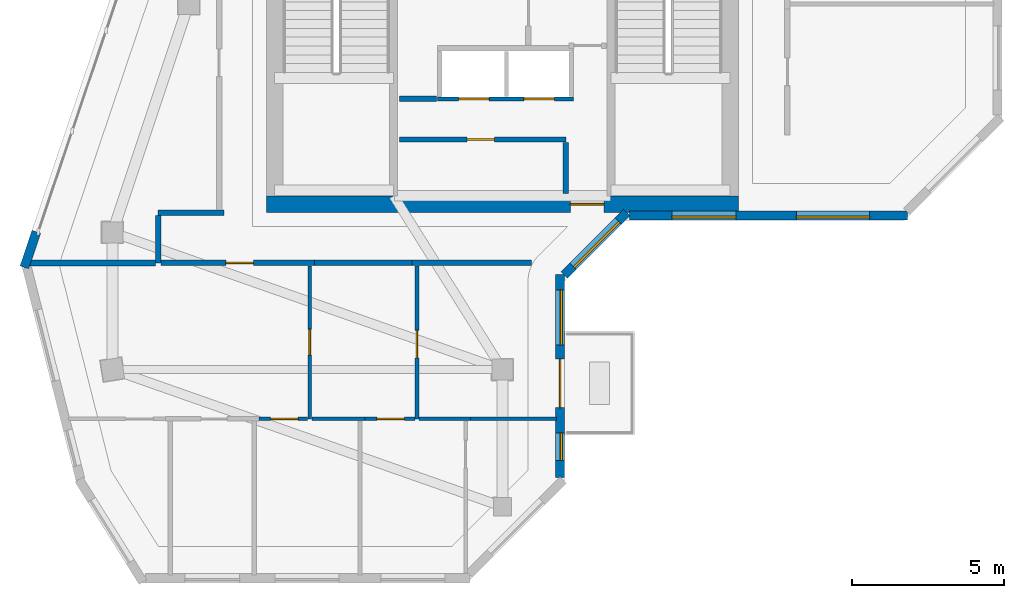
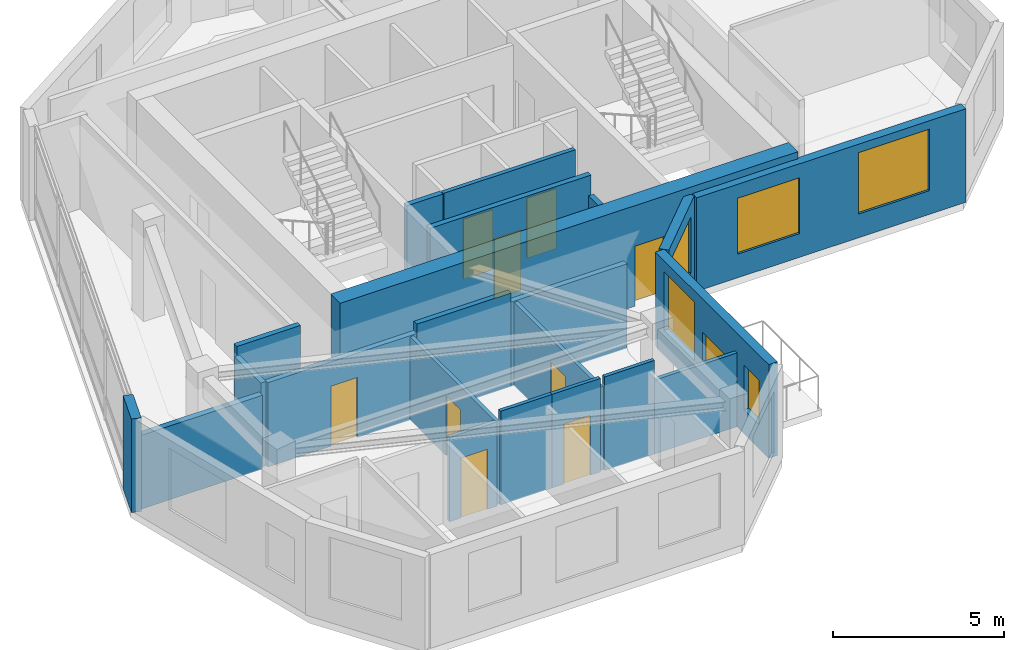
# One storey, part 3 of 7: 22 walls, 10 doors, 5 windows, 15 openings.
"""IFC4 building model written with IfcOpenShell, lengths in metres."""

from ifc_helpers import new_model, si_unit, direction, frame, frame_2d, origin, place, context, subcontext, project, spatial, rectangle, extrude, source, transform, mapped, material, layer, layer_set, type_object, element, fill, save


model = new_model("IFC4")

# Units and contexts
model_context = context("Model", 3, precision=1e-05, world=origin(), true_north=direction((0.0, 1.0)))
body_context = subcontext(model_context, "Body", "Model", "MODEL_VIEW")
ifc_project = project(units=[si_unit("LENGTHUNIT", "METRE"), si_unit("AREAUNIT", "SQUARE_METRE"), si_unit("VOLUMEUNIT", "CUBIC_METRE"), si_unit("PLANEANGLEUNIT", "RADIAN"), si_unit("MASSUNIT", "GRAM", prefix="KILO")], contexts=[model_context])

# Site, building, storey
site_placement = place(None, origin())
site = spatial("IfcSite", under=ifc_project, at=site_placement, CompositionType="ELEMENT")
building_placement = place(site_placement, origin())
building = spatial("IfcBuilding", under=site, at=building_placement, Name="Calvemar Wedge Station Tower", CompositionType="ELEMENT")
storey_placement = place(building_placement, frame((0.0, 0.0, 285.300048828125)))
storey = spatial("IfcBuildingStorey", under=building, at=storey_placement, Name="L73", CompositionType="ELEMENT", Elevation=285.300048828125)

# Wall, opening, door
ifc_material_1 = material(Name="Concrete C60", Category="concrete")
ifc_layer_1 = layer(ifc_material_1, 0.550048828125)
ifc_layer_set_1 = layer_set([ifc_layer_1], Name="Concrete C60")
wall_type_1 = type_object("IfcWallType", Name="SW-CORE-550", PredefinedType="SHEAR", material=ifc_layer_set_1)
wall_1_placement = place(storey_placement, frame((16.050048828125, 33.925048828125, 0.0), z_axis=(0.0, 0.0, 1.0), x_axis=(1.0, 0.0, 0.0)))
wall_1 = element("IfcWall", 1, at=wall_1_placement, inside=storey, type_object=wall_type_1, Name="Storey L73 Core Shear Wall S", PredefinedType="SHEAR", context=body_context, shape_type="SweptSolid", body=[
    extrude(rectangle(XDim=15.5, YDim=0.550048828125, at=frame_2d((7.75, 0.0))), origin(), (0.0, 0.0, 1.0), 3.599853515625),
])
shared_shape_1 = source(origin(), body_context, "Body", "SweptSolid", [
    extrude(rectangle(XDim=1.10009765625, YDim=2.14990234375, at=frame_2d((0.550048828125, 1.074951171875))), frame((0.0, 0.28515625, 0.0), z_axis=(0.0, -1.0, 0.0), x_axis=(1.0, 0.0, 0.0)), (0.0, 0.0, 1.0), 0.570068359375),
])
opening_1_placement = place(wall_1_placement, frame((9.97998046875, 0.0, 0.0)))
opening_1 = element("IfcOpeningElement", 2, at=opening_1_placement, cuts=wall_1, Name="Opening FD-90", PredefinedType="OPENING", context=body_context, shape_type="MappedRepresentation", body=[
    mapped(shared_shape_1, transform((0.0, 0.0, 0.0), scale=1.0)),
])
ifc_material_2 = material(Name="Galvanized fire-rated steel door leaf P-90", Category="steel")
door_type_1 = type_object("IfcDoorType", Name="DR-FD90-1100", OperationType="NOTDEFINED", PredefinedType="DOOR", material=ifc_material_2)
shared_shape_2 = source(origin(), body_context, "Body", "SweptSolid", [
    extrude(rectangle(XDim=1.10009765625, YDim=2.14990234375, at=frame_2d((0.550048828125, 1.074951171875))), frame((0.0, 0.02490234375, 0.0), z_axis=(0.0, -1.0, 0.0), x_axis=(1.0, 0.0, 0.0)), (0.0, 0.0, 1.0), 0.050048828125),
])
door_1_placement = place(opening_1_placement, origin())
door_1 = element("IfcDoor", 3, at=door_1_placement, inside=storey, type_object=door_type_1, Name="L73 Passenger Lift Lobby Door", OperationType="SINGLE_SWING_RIGHT", OverallHeight=2.14990234375, OverallWidth=1.10009765625, PredefinedType="DOOR", context=body_context, shape_type="MappedRepresentation", body=[
    mapped(shared_shape_2, transform((0.0, 0.0, 0.0), scale=1.0)),
])
fill(opening_1, door_1)

# Wall
ifc_material_3 = material(Name="Double-stud fire-rated corridor partition")
ifc_layer_2 = layer(ifc_material_3, 0.179931640625)
ifc_layer_set_2 = layer_set([ifc_layer_2], Name="Double-stud fire-rated corridor partition")
wall_type_2 = type_object("IfcWallType", Name="W-CORR-180", PredefinedType="PARTITIONING", material=ifc_layer_set_2)
wall_2_placement = place(storey_placement, frame((21.6298828125, 37.3798828125, 0.0), z_axis=(0.0, 0.0, 1.0), x_axis=(-1.0, 0.0, 0.0)))
element("IfcWall", 4, at=wall_2_placement, inside=storey, type_object=wall_type_2, Name="Storey L73 Interior Partition WL-L73-003", PredefinedType="PARTITIONING", context=body_context, shape_type="SweptSolid", body=[
    extrude(rectangle(XDim=1.2099609375, YDim=0.179931640625, at=frame_2d((0.60498046875, 0.0))), origin(), (0.0, 0.0, 1.0), 3.349853515625),
])

# Wall, opening, door
wall_3_placement = place(storey_placement, frame((20.419921875, 36.050048828125, 0.0), z_axis=(0.0, 0.0, 1.0), x_axis=(1.0, 0.0, 0.0)))
wall_3 = element("IfcWall", 5, at=wall_3_placement, inside=storey, type_object=wall_type_2, Name="Storey L73 Interior Partition WL-L73-005", PredefinedType="PARTITIONING", context=body_context, shape_type="SweptSolid", body=[
    extrude(rectangle(XDim=5.4599609375, YDim=0.179931640625, at=frame_2d((2.72998046875, 0.0))), origin(), (0.0, 0.0, 1.0), 3.349853515625),
])
shared_shape_3 = source(origin(), body_context, "Body", "SweptSolid", [
    extrude(rectangle(XDim=0.89990234375, YDim=2.14990234375, at=frame_2d((0.449951171875, 1.074951171875))), frame((0.0, 0.10009765625, 0.0), z_axis=(0.0, -1.0, 0.0), x_axis=(1.0, 0.0, 0.0)), (0.0, 0.0, 1.0), 0.199951171875),
])
opening_2_placement = place(wall_3_placement, frame((2.219482421875, 0.0, 0.0)))
opening_2 = element("IfcOpeningElement", 6, at=opening_2_placement, cuts=wall_3, Name="Opening FD-60", PredefinedType="OPENING", context=body_context, shape_type="MappedRepresentation", body=[
    mapped(shared_shape_3, transform((0.0, 0.0, 0.0), scale=1.0)),
])
ifc_material_4 = material(Name="Fire-rated acoustic timber-core entrance door EI 60", Category="wood")
door_type_2 = type_object("IfcDoorType", Name="DR-FD60-900", OperationType="NOTDEFINED", PredefinedType="DOOR", material=ifc_material_4)
shared_shape_4 = source(origin(), body_context, "Body", "SweptSolid", [
    extrude(rectangle(XDim=0.89990234375, YDim=2.14990234375, at=frame_2d((0.449951171875, 1.074951171875))), frame((0.0, 0.02490234375, 0.0), z_axis=(0.0, -1.0, 0.0), x_axis=(1.0, 0.0, 0.0)), (0.0, 0.0, 1.0), 0.050048828125),
])
door_2_placement = place(opening_2_placement, origin())
door_2 = element("IfcDoor", 7, at=door_2_placement, inside=storey, type_object=door_type_2, Name="L73 Wine and Parcel Store Door", OperationType="SINGLE_SWING_LEFT", OverallHeight=2.14990234375, OverallWidth=0.89990234375, PredefinedType="DOOR", context=body_context, shape_type="MappedRepresentation", body=[
    mapped(shared_shape_4, transform((0.0, 0.0, 0.0), scale=1.0)),
])
fill(opening_2, door_2)

# Walls
wall_4_placement = place(storey_placement, frame((25.8798828125, 35.9560546875, 0.0), z_axis=(0.0, 0.0, 1.0), x_axis=(0.0, -1.0, 0.0)))
element("IfcWall", 8, at=wall_4_placement, inside=storey, type_object=wall_type_2, Name="Storey L73 Interior Partition WL-L73-006", PredefinedType="PARTITIONING", context=body_context, shape_type="SweptSolid", body=[
    extrude(rectangle(XDim=1.68603515625, YDim=0.179931640625, at=frame_2d((0.843017578125, 0.0))), origin(), (0.0, 0.0, 1.0), 2.641845703125),
])
wall_5_placement = place(storey_placement, frame((12.5, 33.64990234375, 0.0), z_axis=(0.0, 0.0, 1.0), x_axis=(1.0, 0.0, 0.0)))
element("IfcWall", 9, at=wall_5_placement, inside=storey, type_object=wall_type_2, Name="Storey L73 Interior Partition WL-L73-007", PredefinedType="PARTITIONING", context=body_context, shape_type="SweptSolid", body=[
    extrude(rectangle(XDim=2.159912109375, YDim=0.179931640625, at=frame_2d((1.080078125, 0.0))), origin(), (0.0, 0.0, 1.0), 3.349853515625),
])
wall_6_placement = place(storey_placement, frame((12.5, 32.0, 0.0), z_axis=(0.0, 0.0, 1.0), x_axis=(0.0, 1.0, 0.0)))
element("IfcWall", 10, at=wall_6_placement, inside=storey, type_object=wall_type_2, Name="Storey L73 Interior Partition WL-L73-008", PredefinedType="PARTITIONING", context=body_context, shape_type="SweptSolid", body=[
    extrude(rectangle(XDim=1.555908203125, YDim=0.179931640625, at=frame_2d((0.77783203125, 0.0))), origin(), (0.0, 0.0, 1.0), 3.01904296875),
])
wall_7_placement = place(storey_placement, frame((24.75390625, 32.0, 0.0), z_axis=(0.0, 0.0, 1.0), x_axis=(-1.0, 0.0, 0.0)))
element("IfcWall", 11, at=wall_7_placement, inside=storey, type_object=wall_type_2, Name="Storey L73 Interior Partition WL-L73-009", PredefinedType="PARTITIONING", context=body_context, shape_type="SweptSolid", body=[
    extrude(rectangle(XDim=3.919921875, YDim=0.179931640625, at=frame_2d((1.9599609375, 0.0))), origin(), (0.0, 0.0, 1.0), 3.01904296875),
])

# Wall, opening, door
wall_8_placement = place(storey_placement, frame((17.635986328125, 32.0, 0.0), z_axis=(0.0, 0.0, 1.0), x_axis=(-1.0, 0.0, 0.0)))
wall_8 = element("IfcWall", 12, at=wall_8_placement, inside=storey, type_object=wall_type_2, Name="Storey L73 Interior Partition WL-L73-010", PredefinedType="PARTITIONING", context=body_context, shape_type="SweptSolid", body=[
    extrude(rectangle(XDim=5.0419921875, YDim=0.179931640625, at=frame_2d((2.52099609375, 0.0))), origin(), (0.0, 0.0, 1.0), 3.01904296875),
])
opening_3_placement = place(wall_8_placement, frame((2.00927734375, 0.0, 0.0)))
opening_3 = element("IfcOpeningElement", 13, at=opening_3_placement, cuts=wall_8, Name="Opening FD-60", PredefinedType="OPENING", context=body_context, shape_type="MappedRepresentation", body=[
    mapped(shared_shape_3, transform((0.0, 0.0, 0.0), scale=1.0)),
])
door_3_placement = place(opening_3_placement, origin())
door_3 = element("IfcDoor", 14, at=door_3_placement, inside=storey, type_object=door_type_2, Name="L73 Living Dining Door", OperationType="SINGLE_SWING_LEFT", OverallHeight=2.14990234375, OverallWidth=0.89990234375, PredefinedType="DOOR", context=body_context, shape_type="MappedRepresentation", body=[
    mapped(shared_shape_4, transform((0.0, 0.0, 0.0), scale=1.0)),
])
fill(opening_3, door_3)

# Walls
wall_9_placement = place(storey_placement, frame((20.83203125, 32.0, 0.0), z_axis=(0.0, 0.0, 1.0), x_axis=(-1.0, 0.0, 0.0)))
element("IfcWall", 15, at=wall_9_placement, inside=storey, type_object=wall_type_2, Name="Storey L73 Interior Partition WL-L73-011", PredefinedType="PARTITIONING", context=body_context, shape_type="SweptSolid", body=[
    extrude(rectangle(XDim=3.194091796875, YDim=0.179931640625, at=frame_2d((1.59716796875, 0.0))), origin(), (0.0, 0.0, 1.0), 3.349853515625),
])
ifc_material_5 = material(Name="Twin-stud fire-rated inter-tenancy wall")
ifc_layer_3 = layer(ifc_material_5, 0.199951171875)
ifc_layer_set_3 = layer_set([ifc_layer_3], Name="Twin-stud fire-rated inter-tenancy wall")
wall_type_3 = type_object("IfcWallType", Name="W-DEMISE-200", PredefinedType="PARTITIONING", material=ifc_layer_set_3)
wall_10_placement = place(storey_placement, frame((12.406005859375, 32.0, 0.0), z_axis=(0.0, 0.0, 1.0), x_axis=(-1.0, 0.0, 0.0)))
element("IfcWall", 16, at=wall_10_placement, inside=storey, type_object=wall_type_3, Name="Storey L73 Interior Partition WL-L73-020", PredefinedType="PARTITIONING", context=body_context, shape_type="SweptSolid", body=[
    extrude(rectangle(XDim=4.126220703125, YDim=0.199951171875, at=frame_2d((2.06298828125, 0.0))), origin(), (0.0, 0.0, 1.0), 2.641845703125),
])

# Wall, openings, windows, door
ifc_material_6 = material(Name="Precast concrete C45", Category="concrete")
ifc_layer_4 = layer(ifc_material_6, 0.300048828125)
ifc_layer_set_4 = layer_set([ifc_layer_4], Name="Precast concrete C45")
wall_type_4 = type_object("IfcWallType", Name="W-EXT-GFRC-300", PredefinedType="SOLIDWALL", material=ifc_layer_set_4)
wall_11_placement = place(storey_placement, frame((25.68994140625, 24.957275390625, 0.0), z_axis=(0.0, 0.0, 1.0), x_axis=(0.0, 1.0, 0.0)))
wall_11 = element("IfcWall", 17, at=wall_11_placement, inside=storey, type_object=wall_type_4, Name="Storey L73 Bronze GFRC Exterior Wall 4", PredefinedType="SOLIDWALL", context=body_context, shape_type="SweptSolid", body=[
    extrude(rectangle(XDim=6.65478515625, YDim=0.300048828125, at=frame_2d((3.327392578125, 0.0))), origin(), (0.0, 0.0, 1.0), 3.349853515625),
])
shared_shape_5 = source(origin(), body_context, "Body", "SweptSolid", [
    extrude(rectangle(XDim=1.60009765625, YDim=2.14990234375, at=frame_2d((0.800048828125, 1.074951171875))), frame((0.0, 0.16015625, 0.0), z_axis=(0.0, -1.0, 0.0), x_axis=(1.0, 0.0, 0.0)), (0.0, 0.0, 1.0), 0.320068359375),
])
opening_4_placement = place(wall_11_placement, frame((2.29296875, 0.0, 0.0)))
opening_4 = element("IfcOpeningElement", 18, at=opening_4_placement, cuts=wall_11, Name="Opening DT1", PredefinedType="OPENING", context=body_context, shape_type="MappedRepresentation", body=[
    mapped(shared_shape_5, transform((0.0, 0.0, 0.0), scale=1.0)),
])
shared_shape_6 = source(origin(), body_context, "Body", "SweptSolid", [
    extrude(rectangle(XDim=0.89990234375, YDim=1.60009765625, at=frame_2d((0.449951171875, 0.800048828125))), frame((0.0, 0.16015625, 0.0), z_axis=(0.0, -1.0, 0.0), x_axis=(1.0, 0.0, 0.0)), (0.0, 0.0, 1.0), 0.320068359375),
])
opening_5_placement = place(wall_11_placement, frame((0.56298828125, 0.0, 0.85009765625)))
opening_5 = element("IfcOpeningElement", 19, at=opening_5_placement, cuts=wall_11, Name="Opening W7", PredefinedType="OPENING", context=body_context, shape_type="MappedRepresentation", body=[
    mapped(shared_shape_6, transform((0.0, 0.0, 0.0), scale=1.0)),
])
shared_shape_7 = source(origin(), body_context, "Body", "SweptSolid", [
    extrude(rectangle(XDim=1.800048828125, YDim=2.10009765625, at=frame_2d((0.89990234375, 1.050048828125))), frame((0.0, 0.16015625, 0.0), z_axis=(0.0, -1.0, 0.0), x_axis=(1.0, 0.0, 0.0)), (0.0, 0.0, 1.0), 0.320068359375),
])
opening_6_placement = place(wall_11_placement, frame((4.35400390625, 0.0, 0.85009765625)))
opening_6 = element("IfcOpeningElement", 20, at=opening_6_placement, cuts=wall_11, Name="Opening W2", PredefinedType="OPENING", context=body_context, shape_type="MappedRepresentation", body=[
    mapped(shared_shape_7, transform((0.0, 0.0, 0.0), scale=1.0)),
])
ifc_material_7 = material(Name="Low-E laminated insulated glass", Category="glass")
window_type_1 = type_object("IfcWindowType", Name="WIN-EXT-2", PartitioningType="SINGLE_PANEL", PredefinedType="WINDOW", material=ifc_material_7)
shared_shape_8 = source(origin(), body_context, "Body", "SweptSolid", [
    extrude(rectangle(XDim=1.800048828125, YDim=2.10009765625, at=frame_2d((0.89990234375, 1.050048828125))), frame((0.0, -0.014892578125, 0.0), z_axis=(0.0, -1.0, 0.0), x_axis=(1.0, 0.0, 0.0)), (0.0, 0.0, 1.0), 0.06005859375),
])
window_1_placement = place(opening_6_placement, origin())
window_1 = element("IfcWindow", 21, at=window_1_placement, inside=storey, type_object=window_type_1, Name="Storey L73 Recessed Window 4.2", OverallHeight=2.10009765625, OverallWidth=1.800048828125, PartitioningType="SINGLE_PANEL", PredefinedType="WINDOW", context=body_context, shape_type="MappedRepresentation", body=[
    mapped(shared_shape_8, transform((0.0, 0.0, 0.0), scale=1.0)),
])
fill(opening_6, window_1)
ifc_material_8 = material(Name="Anodised aluminium 6063-T6", Category="aluminium")
door_type_3 = type_object("IfcDoorType", Name="DR-TERR-1600", OperationType="DOUBLE_DOOR_SLIDING", PredefinedType="DOOR", material=ifc_material_8)
shared_shape_9 = source(origin(), body_context, "Body", "SweptSolid", [
    extrude(rectangle(XDim=1.60009765625, YDim=2.14990234375, at=frame_2d((0.800048828125, 1.074951171875))), frame((0.0, 0.02490234375, 0.0), z_axis=(0.0, -1.0, 0.0), x_axis=(1.0, 0.0, 0.0)), (0.0, 0.0, 1.0), 0.050048828125),
])
door_4_placement = place(opening_4_placement, origin())
door_4 = element("IfcDoor", 22, at=door_4_placement, inside=storey, type_object=door_type_3, Name="Storey L73 Spiral Terrace Door", OperationType="DOUBLE_DOOR_SLIDING", OverallHeight=2.14990234375, OverallWidth=1.60009765625, PredefinedType="DOOR", context=body_context, shape_type="MappedRepresentation", body=[
    mapped(shared_shape_9, transform((0.0, 0.0, 0.0), scale=1.0)),
])
fill(opening_4, door_4)
window_type_2 = type_object("IfcWindowType", Name="WIN-EXT-7", PartitioningType="SINGLE_PANEL", PredefinedType="WINDOW", material=ifc_material_7)
shared_shape_10 = source(origin(), body_context, "Body", "SweptSolid", [
    extrude(rectangle(XDim=0.89990234375, YDim=1.60009765625, at=frame_2d((0.449951171875, 0.800048828125))), frame((0.0, -0.014892578125, 0.0), z_axis=(0.0, -1.0, 0.0), x_axis=(1.0, 0.0, 0.0)), (0.0, 0.0, 1.0), 0.06005859375),
])
window_2_placement = place(opening_5_placement, origin())
window_2 = element("IfcWindow", 23, at=window_2_placement, inside=storey, type_object=window_type_2, Name="Storey L73 Recessed Window 4.1", OverallHeight=1.60009765625, OverallWidth=0.89990234375, PartitioningType="SINGLE_PANEL", PredefinedType="WINDOW", context=body_context, shape_type="MappedRepresentation", body=[
    mapped(shared_shape_10, transform((0.0, 0.0, 0.0), scale=1.0)),
])
fill(opening_5, window_2)

# Wall, opening, window
wall_12_placement = place(storey_placement, frame((25.827880859375, 31.60009765625, 0.0), z_axis=(0.0, 0.0, 1.0), x_axis=(0.707106781187, 0.707106781187, 0.0)))
wall_12 = element("IfcWall", 24, at=wall_12_placement, inside=storey, type_object=wall_type_4, Name="Storey L73 Bronze GFRC Exterior Wall 5", PredefinedType="SOLIDWALL", context=body_context, shape_type="SweptSolid", body=[
    extrude(rectangle(XDim=2.907470703125, YDim=0.300048828125, at=frame_2d((1.45361328125, 0.0))), origin(), (0.0, 0.0, 1.0), 3.349853515625),
])
shared_shape_11 = source(origin(), body_context, "Body", "SweptSolid", [
    extrude(rectangle(XDim=2.10009765625, YDim=2.0, at=frame_2d((1.050048828125, 1.0))), frame((0.0, 0.16015625, 0.0), z_axis=(0.0, -1.0, 0.0), x_axis=(1.0, 0.0, 0.0)), (0.0, 0.0, 1.0), 0.320068359375),
])
opening_7_placement = place(wall_12_placement, frame((0.404052734375, 0.0, 0.85009765625)))
opening_7 = element("IfcOpeningElement", 25, at=opening_7_placement, cuts=wall_12, Name="Opening W4", PredefinedType="OPENING", context=body_context, shape_type="MappedRepresentation", body=[
    mapped(shared_shape_11, transform((0.0, 0.0, 0.0), scale=1.0)),
])
window_type_3 = type_object("IfcWindowType", Name="WIN-EXT-4", PartitioningType="SINGLE_PANEL", PredefinedType="WINDOW", material=ifc_material_7)
shared_shape_12 = source(origin(), body_context, "Body", "SweptSolid", [
    extrude(rectangle(XDim=2.10009765625, YDim=2.0, at=frame_2d((1.050048828125, 1.0))), frame((0.0, -0.014892578125, 0.0), z_axis=(0.0, -1.0, 0.0), x_axis=(1.0, 0.0, 0.0)), (0.0, 0.0, 1.0), 0.06005859375),
])
window_3_placement = place(opening_7_placement, origin())
window_3 = element("IfcWindow", 26, at=window_3_placement, inside=storey, type_object=window_type_3, Name="Storey L73 Recessed Window 5.1", OverallHeight=2.0, OverallWidth=2.10009765625, PartitioningType="SINGLE_PANEL", PredefinedType="WINDOW", context=body_context, shape_type="MappedRepresentation", body=[
    mapped(shared_shape_12, transform((0.0, 0.0, 0.0), scale=1.0)),
])
fill(opening_7, window_3)

# Wall, openings, windows
wall_13_placement = place(storey_placement, frame((27.972900390625, 33.550048828125, 0.0), z_axis=(0.0, 0.0, 1.0), x_axis=(1.0, 0.0, 0.0)))
wall_13 = element("IfcWall", 27, at=wall_13_placement, inside=storey, type_object=wall_type_4, Name="Storey L73 Bronze GFRC Exterior Wall 6", PredefinedType="SOLIDWALL", context=body_context, shape_type="SweptSolid", body=[
    extrude(rectangle(XDim=9.114990234375, YDim=0.300048828125, at=frame_2d((4.5576171875, 0.0))), origin(), (0.0, 0.0, 1.0), 3.349853515625),
])
opening_8_placement = place(wall_13_placement, frame((1.388916015625, 0.0, 0.85009765625)))
opening_8 = element("IfcOpeningElement", 28, at=opening_8_placement, cuts=wall_13, Name="Opening W4", PredefinedType="OPENING", context=body_context, shape_type="MappedRepresentation", body=[
    mapped(shared_shape_11, transform((0.0, 0.0, 0.0), scale=1.0)),
])
shared_shape_13 = source(origin(), body_context, "Body", "SweptSolid", [
    extrude(rectangle(XDim=2.39990234375, YDim=2.199951171875, at=frame_2d((1.199951171875, 1.10009765625))), frame((0.0, 0.16015625, 0.0), z_axis=(0.0, -1.0, 0.0), x_axis=(1.0, 0.0, 0.0)), (0.0, 0.0, 1.0), 0.320068359375),
])
opening_9_placement = place(wall_13_placement, frame((5.47607421875, 0.0, 0.85009765625)))
opening_9 = element("IfcOpeningElement", 29, at=opening_9_placement, cuts=wall_13, Name="Opening W1", PredefinedType="OPENING", context=body_context, shape_type="MappedRepresentation", body=[
    mapped(shared_shape_13, transform((0.0, 0.0, 0.0), scale=1.0)),
])
window_4_placement = place(opening_8_placement, origin())
window_4 = element("IfcWindow", 30, at=window_4_placement, inside=storey, type_object=window_type_3, Name="Storey L73 Recessed Window 6.1", OverallHeight=2.0, OverallWidth=2.10009765625, PartitioningType="SINGLE_PANEL", PredefinedType="WINDOW", context=body_context, shape_type="MappedRepresentation", body=[
    mapped(shared_shape_12, transform((0.0, 0.0, 0.0), scale=1.0)),
])
fill(opening_8, window_4)
window_type_4 = type_object("IfcWindowType", Name="WIN-EXT-1", PartitioningType="SINGLE_PANEL", PredefinedType="WINDOW", material=ifc_material_7)
shared_shape_14 = source(origin(), body_context, "Body", "SweptSolid", [
    extrude(rectangle(XDim=2.39990234375, YDim=2.199951171875, at=frame_2d((1.199951171875, 1.10009765625))), frame((0.0, -0.014892578125, 0.0), z_axis=(0.0, -1.0, 0.0), x_axis=(1.0, 0.0, 0.0)), (0.0, 0.0, 1.0), 0.06005859375),
])
window_5_placement = place(opening_9_placement, origin())
window_5 = element("IfcWindow", 31, at=window_5_placement, inside=storey, type_object=window_type_4, Name="Storey L73 Recessed Window 6.2", OverallHeight=2.199951171875, OverallWidth=2.39990234375, PartitioningType="SINGLE_PANEL", PredefinedType="WINDOW", context=body_context, shape_type="MappedRepresentation", body=[
    mapped(shared_shape_14, transform((0.0, 0.0, 0.0), scale=1.0)),
])
fill(opening_9, window_5)

# Wall
wall_14_placement = place(storey_placement, frame((8.501708984375, 33.01708984375, 0.0), z_axis=(0.0, 0.0, 1.0), x_axis=(-0.319798692732, -0.947485512357, 0.0)))
element("IfcWall", 32, at=wall_14_placement, inside=storey, type_object=wall_type_4, Name="Storey L73 Bronze GFRC Corner Pier 12B", PredefinedType="SOLIDWALL", context=body_context, shape_type="SweptSolid", body=[
    extrude(rectangle(XDim=1.22998046875, YDim=0.300048828125, at=frame_2d((0.614990234375, 0.0))), origin(), (0.0, 0.0, 1.0), 3.349853515625),
])

# Wall, openings, doors
ifc_material_9 = material(Name="Reinforced concrete blockwork lift shaft wall", Category="masonry")
ifc_layer_5 = layer(ifc_material_9, 0.139892578125)
ifc_layer_set_5 = layer_set([ifc_layer_5], Name="Reinforced concrete blockwork lift shaft wall")
wall_type_5 = type_object("IfcWallType", Name="W-LIFT-160", PredefinedType="SOLIDWALL", material=ifc_layer_set_5)
wall_15_placement = place(storey_placement, frame((21.669921875, 37.3798828125, 0.0), z_axis=(0.0, 0.0, 1.0), x_axis=(1.0, 0.0, 0.0)))
wall_15 = element("IfcWall", 33, at=wall_15_placement, inside=storey, type_object=wall_type_5, Name="Storey L73 Upper Passenger Lift Bank Front Wall", PredefinedType="SOLIDWALL", context=body_context, shape_type="SweptSolid", body=[
    extrude(rectangle(XDim=4.4599609375, YDim=0.139892578125, at=frame_2d((2.22998046875, 0.0))), origin(), (0.0, 0.0, 1.0), 3.349853515625),
])
shared_shape_15 = source(origin(), body_context, "Body", "SweptSolid", [
    extrude(rectangle(XDim=1.0, YDim=2.14990234375, at=frame_2d((0.5, 1.074951171875))), frame((0.0, 0.080078125, 0.0), z_axis=(0.0, -1.0, 0.0), x_axis=(1.0, 0.0, 0.0)), (0.0, 0.0, 1.0), 0.159912109375),
])
opening_10_placement = place(wall_15_placement, frame((0.695068359375, 0.0, 0.0)))
opening_10 = element("IfcOpeningElement", 34, at=opening_10_placement, cuts=wall_15, Name="Opening LD-PAX", PredefinedType="OPENING", context=body_context, shape_type="MappedRepresentation", body=[
    mapped(shared_shape_15, transform((0.0, 0.0, 0.0), scale=1.0)),
])
opening_11_placement = place(wall_15_placement, frame((2.8349609375, 0.0, 0.0)))
opening_11 = element("IfcOpeningElement", 35, at=opening_11_placement, cuts=wall_15, Name="Opening LD-PAX", PredefinedType="OPENING", context=body_context, shape_type="MappedRepresentation", body=[
    mapped(shared_shape_15, transform((0.0, 0.0, 0.0), scale=1.0)),
])
ifc_material_10 = material(Name="Anodised bronze passenger lift sliding landing door")
door_type_4 = type_object("IfcDoorType", Name="DR-LD-PAX-1000", OperationType="SLIDING_TO_LEFT", PredefinedType="DOOR", material=ifc_material_10)
shared_shape_16 = source(origin(), body_context, "Body", "SweptSolid", [
    extrude(rectangle(XDim=1.0, YDim=2.14990234375, at=frame_2d((0.5, 1.074951171875))), frame((0.0, 0.02490234375, 0.0), z_axis=(0.0, -1.0, 0.0), x_axis=(1.0, 0.0, 0.0)), (0.0, 0.0, 1.0), 0.050048828125),
])
door_5_placement = place(opening_10_placement, origin())
door_5 = element("IfcDoor", 36, at=door_5_placement, inside=storey, type_object=door_type_4, Name="L73 Lift RH-02 Sliding Landing Door", OperationType="SLIDING_TO_RIGHT", OverallHeight=2.14990234375, OverallWidth=1.0, PredefinedType="DOOR", context=body_context, shape_type="MappedRepresentation", body=[
    mapped(shared_shape_16, transform((0.0, 0.0, 0.0), scale=1.0)),
])
fill(opening_10, door_5)
door_6_placement = place(opening_11_placement, origin())
door_6 = element("IfcDoor", 37, at=door_6_placement, inside=storey, type_object=door_type_4, Name="L73 Lift RH-03 Sliding Landing Door", OperationType="SLIDING_TO_LEFT", OverallHeight=2.14990234375, OverallWidth=1.0, PredefinedType="DOOR", context=body_context, shape_type="MappedRepresentation", body=[
    mapped(shared_shape_16, transform((0.0, 0.0, 0.0), scale=1.0)),
])
fill(opening_11, door_6)

# Wall, opening, door
ifc_material_11 = material(Name="Insulated acoustic gypsum stud partition")
ifc_layer_6 = layer(ifc_material_11, 0.125)
ifc_layer_set_6 = layer_set([ifc_layer_6], Name="Insulated acoustic gypsum stud partition")
wall_type_6 = type_object("IfcWallType", Name="W-PART-125", PredefinedType="PARTITIONING", material=ifc_layer_set_6)
wall_16_placement = place(storey_placement, frame((20.993896484375, 26.883056640625, 0.0), z_axis=(0.0, 0.0, 1.0), x_axis=(0.0, 1.0, 0.0)))
wall_16 = element("IfcWall", 38, at=wall_16_placement, inside=storey, type_object=wall_type_6, Name="Storey L73 Interior Partition WL-L73-025", PredefinedType="PARTITIONING", context=body_context, shape_type="SweptSolid", body=[
    extrude(rectangle(XDim=5.02294921875, YDim=0.125, at=frame_2d((2.511474609375, 0.0))), origin(), (0.0, 0.0, 1.0), 2.97900390625),
])
shared_shape_17 = source(origin(), body_context, "Body", "SweptSolid", [
    extrude(rectangle(XDim=0.89990234375, YDim=2.14990234375, at=frame_2d((0.449951171875, 1.074951171875))), frame((0.0, 0.072509765625, 0.0), z_axis=(0.0, -1.0, 0.0), x_axis=(1.0, 0.0, 0.0)), (0.0, 0.0, 1.0), 0.14501953125),
])
opening_12_placement = place(wall_16_placement, frame((2.0, 0.0, 0.0)))
opening_12 = element("IfcOpeningElement", 39, at=opening_12_placement, cuts=wall_16, Name="Opening D-01", PredefinedType="OPENING", context=body_context, shape_type="MappedRepresentation", body=[
    mapped(shared_shape_17, transform((0.0, 0.0, 0.0), scale=1.0)),
])
ifc_material_12 = material(Name="Architectural hardwood acoustic swing door", Category="wood")
door_type_5 = type_object("IfcDoorType", Name="DR-INT-900", OperationType="NOTDEFINED", PredefinedType="DOOR", material=ifc_material_12)
shared_shape_18 = source(origin(), body_context, "Body", "SweptSolid", [
    extrude(rectangle(XDim=0.89990234375, YDim=2.14990234375, at=frame_2d((0.449951171875, 1.074951171875))), frame((0.0, 0.02490234375, 0.0), z_axis=(0.0, -1.0, 0.0), x_axis=(1.0, 0.0, 0.0)), (0.0, 0.0, 1.0), 0.050048828125),
])
door_7_placement = place(opening_12_placement, origin())
door_7 = element("IfcDoor", 40, at=door_7_placement, inside=storey, type_object=door_type_5, Name="L73 Study Door", OperationType="SINGLE_SWING_RIGHT", OverallHeight=2.14990234375, OverallWidth=0.89990234375, PredefinedType="DOOR", context=body_context, shape_type="MappedRepresentation", body=[
    mapped(shared_shape_18, transform((0.0, 0.0, 0.0), scale=1.0)),
])
fill(opening_12, door_7)

# Walls
wall_17_placement = place(storey_placement, frame((22.7529296875, 26.883056640625, 0.0), z_axis=(0.0, 0.0, 1.0), x_axis=(-1.0, 0.0, 0.0)))
element("IfcWall", 41, at=wall_17_placement, inside=storey, type_object=wall_type_6, Name="Storey L73 Interior Partition WL-L73-026", PredefinedType="PARTITIONING", context=body_context, shape_type="SweptSolid", body=[
    extrude(rectangle(XDim=1.6923828125, YDim=0.125, at=frame_2d((0.84619140625, 0.0))), origin(), (0.0, 0.0, 1.0), 3.349853515625),
])
wall_18_placement = place(storey_placement, frame((25.574951171875, 26.883056640625, 0.0), z_axis=(0.0, 0.0, 1.0), x_axis=(-1.0, 0.0, 0.0)))
element("IfcWall", 42, at=wall_18_placement, inside=storey, type_object=wall_type_6, Name="Storey L73 Interior Partition WL-L73-027", PredefinedType="PARTITIONING", context=body_context, shape_type="SweptSolid", body=[
    extrude(rectangle(XDim=2.820068359375, YDim=0.125, at=frame_2d((1.41015625, 0.0))), origin(), (0.0, 0.0, 1.0), 2.641845703125),
])

# Wall, opening, door
wall_19_placement = place(storey_placement, frame((17.47607421875, 31.906005859375, 0.0), z_axis=(0.0, 0.0, 1.0), x_axis=(0.0, -1.0, 0.0)))
wall_19 = element("IfcWall", 43, at=wall_19_placement, inside=storey, type_object=wall_type_6, Name="Storey L73 Interior Partition WL-L73-028", PredefinedType="PARTITIONING", context=body_context, shape_type="SweptSolid", body=[
    extrude(rectangle(XDim=5.02294921875, YDim=0.125, at=frame_2d((2.511474609375, 0.0))), origin(), (0.0, 0.0, 1.0), 2.97900390625),
])
shared_shape_19 = source(origin(), body_context, "Body", "SweptSolid", [
    extrude(rectangle(XDim=0.85009765625, YDim=2.14990234375, at=frame_2d((0.425048828125, 1.074951171875))), frame((0.0, 0.072509765625, 0.0), z_axis=(0.0, -1.0, 0.0), x_axis=(1.0, 0.0, 0.0)), (0.0, 0.0, 1.0), 0.14501953125),
])
opening_13_placement = place(wall_19_placement, frame((2.08642578125, 0.0, 0.0)))
opening_13 = element("IfcOpeningElement", 44, at=opening_13_placement, cuts=wall_19, Name="Opening D-02", PredefinedType="OPENING", context=body_context, shape_type="MappedRepresentation", body=[
    mapped(shared_shape_19, transform((0.0, 0.0, 0.0), scale=1.0)),
])
ifc_material_13 = material(Name="Moisture-sealed bathroom hardwood swing door", Category="wood")
door_type_6 = type_object("IfcDoorType", Name="DR-WET-850", OperationType="NOTDEFINED", PredefinedType="DOOR", material=ifc_material_13)
shared_shape_20 = source(origin(), body_context, "Body", "SweptSolid", [
    extrude(rectangle(XDim=0.85009765625, YDim=2.14990234375, at=frame_2d((0.425048828125, 1.074951171875))), frame((0.0, 0.02490234375, 0.0), z_axis=(0.0, -1.0, 0.0), x_axis=(1.0, 0.0, 0.0)), (0.0, 0.0, 1.0), 0.050048828125),
])
door_8_placement = place(opening_13_placement, origin())
door_8 = element("IfcDoor", 45, at=door_8_placement, inside=storey, type_object=door_type_6, Name="L73 Kitchen Door", OperationType="SINGLE_SWING_RIGHT", OverallHeight=2.14990234375, OverallWidth=0.85009765625, PredefinedType="DOOR", context=body_context, shape_type="MappedRepresentation", body=[
    mapped(shared_shape_20, transform((0.0, 0.0, 0.0), scale=1.0)),
])
fill(opening_13, door_8)

wall_20_placement = place(storey_placement, frame((17.409423828125, 26.883056640625, 0.0), z_axis=(0.0, 0.0, 1.0), x_axis=(-1.0, 0.0, 0.0)))
wall_20 = element("IfcWall", 46, at=wall_20_placement, inside=storey, type_object=wall_type_6, Name="Storey L73 Interior Partition WL-L73-031", PredefinedType="PARTITIONING", context=body_context, shape_type="SweptSolid", body=[
    extrude(rectangle(XDim=1.597412109375, YDim=0.125, at=frame_2d((0.798828125, 0.0))), origin(), (0.0, 0.0, 1.0), 3.01904296875),
])
opening_14_placement = place(wall_20_placement, frame((0.314453125, 0.0, 0.0)))
opening_14 = element("IfcOpeningElement", 47, at=opening_14_placement, cuts=wall_20, Name="Opening D-01", PredefinedType="OPENING", context=body_context, shape_type="MappedRepresentation", body=[
    mapped(shared_shape_17, transform((0.0, 0.0, 0.0), scale=1.0)),
])
door_9_placement = place(opening_14_placement, origin())
door_9 = element("IfcDoor", 48, at=door_9_placement, inside=storey, type_object=door_type_5, Name="L73 Master Bedroom Door", OperationType="SINGLE_SWING_LEFT", OverallHeight=2.14990234375, OverallWidth=0.89990234375, PredefinedType="DOOR", context=body_context, shape_type="MappedRepresentation", body=[
    mapped(shared_shape_18, transform((0.0, 0.0, 0.0), scale=1.0)),
])
fill(opening_14, door_9)

# Wall
wall_21_placement = place(storey_placement, frame((19.281982421875, 26.883056640625, 0.0), z_axis=(0.0, 0.0, 1.0), x_axis=(-1.0, 0.0, 0.0)))
element("IfcWall", 49, at=wall_21_placement, inside=storey, type_object=wall_type_6, Name="Storey L73 Interior Partition WL-L73-032", PredefinedType="PARTITIONING", context=body_context, shape_type="SweptSolid", body=[
    extrude(rectangle(XDim=1.739501953125, YDim=0.125, at=frame_2d((0.86962890625, 0.0))), origin(), (0.0, 0.0, 1.0), 3.349853515625),
])

# Wall, opening, door
wall_22_placement = place(storey_placement, frame((20.927490234375, 26.883056640625, 0.0), z_axis=(0.0, 0.0, 1.0), x_axis=(-1.0, 0.0, 0.0)))
wall_22 = element("IfcWall", 50, at=wall_22_placement, inside=storey, type_object=wall_type_6, Name="Storey L73 Interior Partition WL-L73-033", PredefinedType="PARTITIONING", context=body_context, shape_type="SweptSolid", body=[
    extrude(rectangle(XDim=1.6435546875, YDim=0.125, at=frame_2d((0.82177734375, 0.0))), origin(), (0.0, 0.0, 1.0), 3.349853515625),
])
opening_15_placement = place(wall_22_placement, frame((0.348876953125, 0.0, 0.0)))
opening_15 = element("IfcOpeningElement", 51, at=opening_15_placement, cuts=wall_22, Name="Opening D-01", PredefinedType="OPENING", context=body_context, shape_type="MappedRepresentation", body=[
    mapped(shared_shape_17, transform((0.0, 0.0, 0.0), scale=1.0)),
])
door_10_placement = place(opening_15_placement, origin())
door_10 = element("IfcDoor", 52, at=door_10_placement, inside=storey, type_object=door_type_5, Name="L73 Bedroom Door", OperationType="SINGLE_SWING_RIGHT", OverallHeight=2.14990234375, OverallWidth=0.89990234375, PredefinedType="DOOR", context=body_context, shape_type="MappedRepresentation", body=[
    mapped(shared_shape_18, transform((0.0, 0.0, 0.0), scale=1.0)),
])
fill(opening_15, door_10)

save(model, "model.ifc")
